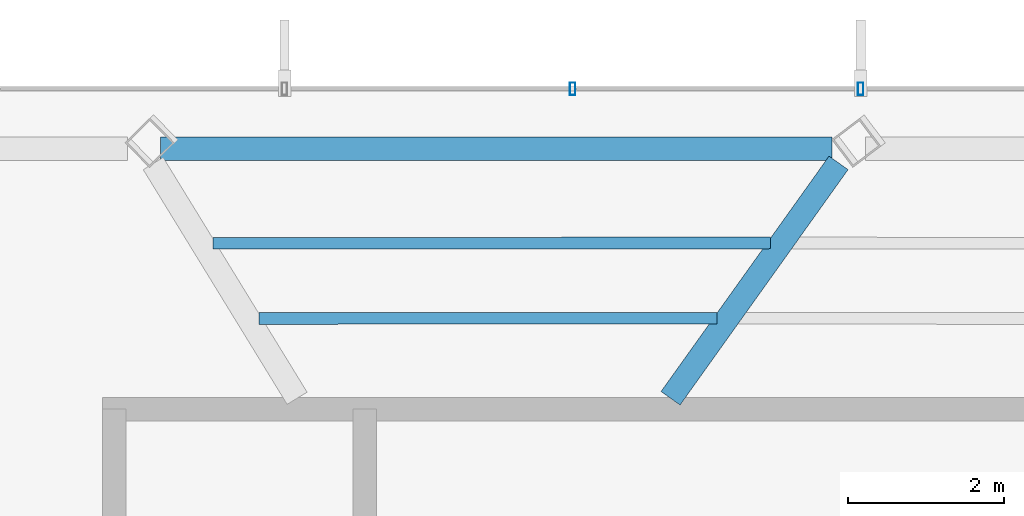
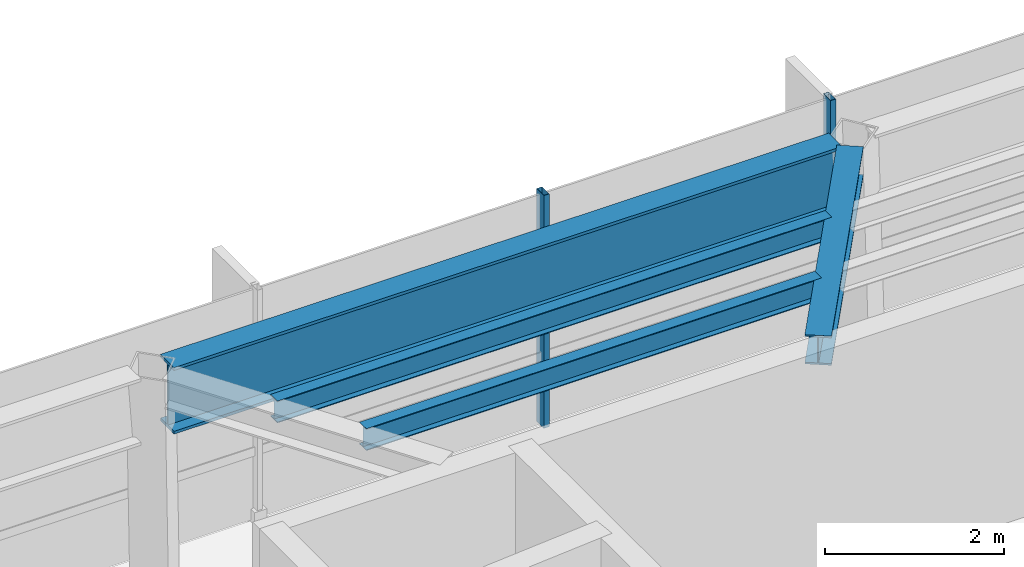
# One storey, part 12 of 22: 4 beams, 2 members, 1 element without a shape of its own.
"""IFC4 building model written with IfcOpenShell, lengths in metres."""

from ifc_helpers import new_model, si_unit, direction, frame, origin, origin_2d, place, context, subcontext, project, spatial, hollow_rectangle, i_section, extrude, material, layer, layer_set, material_profile, profile_set, type_object, element, aggregate, save


model = new_model("IFC4")

# Units and contexts
model_context = context("Model", 3, precision=1e-05, world=origin(), true_north=direction((0.0, 1.0)))
body_context = subcontext(model_context, "Body", "Model", "MODEL_VIEW")
ifc_project = project(units=[si_unit("LENGTHUNIT", "METRE"), si_unit("AREAUNIT", "SQUARE_METRE"), si_unit("VOLUMEUNIT", "CUBIC_METRE"), si_unit("PLANEANGLEUNIT", "RADIAN"), si_unit("MASSUNIT", "GRAM", prefix="KILO")], contexts=[model_context])

# Site, building, storey
site_placement = place(None, origin())
site = spatial("IfcSite", under=ifc_project, at=site_placement, CompositionType="ELEMENT")
building_placement = place(site_placement, origin())
building = spatial("IfcBuilding", under=site, at=building_placement, Name="Zarrinselat Tower", CompositionType="ELEMENT")
storey_placement = place(building_placement, frame((0.0, 0.0, 295.800048828125)))
storey = spatial("IfcBuildingStorey", under=building, at=storey_placement, Name="L76", CompositionType="ELEMENT", Elevation=295.800048828125)

# Beams
ifc_material_1 = material(Name="Steel S355J2", Category="steel")
ifc_material_profile_1 = material_profile(ifc_material_1, i_section(OverallWidth=0.300048828125, OverallDepth=0.39990234375, WebThickness=0.013427734375, FlangeThickness=0.02392578125, at=origin_2d()), Name="HEB 400")
ifc_profile_set_1 = profile_set([ifc_material_profile_1], Name="Steel S355J2")
beam_type_1 = type_object("IfcBeamType", Name="BM-HEB400", PredefinedType="BEAM", material=ifc_profile_set_1)
beam_1_placement = place(storey_placement, frame((35.800048828125, 43.5400390625, 2.97998046875), z_axis=(0.580989626288, 0.81391096205, 0.0), x_axis=(-0.81391096205, 0.580989626288, 0.0)))
element("IfcBeam", 1, at=beam_1_placement, inside=storey, type_object=beam_type_1, Name="L76 Radial Primary Girder RG03", PredefinedType="BEAM", context=body_context, shape_type="SweptSolid", body=[
    extrude(i_section(OverallWidth=0.300048828125, OverallDepth=0.39990234375, WebThickness=0.013427734375, FlangeThickness=0.02392578125, at=origin_2d()), origin(), (0.0, 0.0, 1.0), 3.716796875),
])
ifc_material_2 = material(Name="Steel S460M", Category="steel")
ifc_material_profile_2 = material_profile(ifc_material_2, i_section(OverallWidth=0.302001953125, OverallDepth=0.909912109375, WebThickness=0.02099609375, FlangeThickness=0.0400390625, at=origin_2d()), Name="HEM 900")
ifc_profile_set_2 = profile_set([ifc_material_profile_2], Name="Steel S460M")
beam_type_2 = type_object("IfcBeamType", Name="BM-HEM900", PredefinedType="BEAM", material=ifc_profile_set_2)
beam_2_placement = place(storey_placement, frame((29.2451171875, 46.75, 2.724853515625), z_axis=(1.0, 0.0, 0.0), x_axis=(0.0, 1.0, 0.0)))
element("IfcBeam", 2, at=beam_2_placement, inside=storey, type_object=beam_type_2, Name="L76 Perimeter Spandrel Girder SP03", PredefinedType="BEAM", context=body_context, shape_type="SweptSolid", body=[
    extrude(i_section(OverallWidth=0.302001953125, OverallDepth=0.909912109375, WebThickness=0.02099609375, FlangeThickness=0.0400390625, at=origin_2d()), origin(), (0.0, 0.0, 1.0), 8.63330078125),
])
ifc_material_3 = material(Name="Steel S355J2", Category="steel")
ifc_material_profile_3 = material_profile(ifc_material_3, i_section(OverallWidth=0.14990234375, OverallDepth=0.300048828125, WebThickness=0.007080078125, FlangeThickness=0.0107421875, at=origin_2d()), Name="IPE 300")
ifc_profile_set_3 = profile_set([ifc_material_profile_3], Name="Steel S355J2")
beam_type_3 = type_object("IfcBeamType", Name="BM-IPE300", PredefinedType="JOIST", material=ifc_profile_set_3)
beam_3_placement = place(storey_placement, frame((29.91943359375, 45.531005859375, 3.030029296875), z_axis=(0.999999692971, 0.000783618716, 0.0), x_axis=(-0.000783618716, 0.999999692971, 0.0)))
element("IfcBeam", 3, at=beam_3_placement, inside=storey, type_object=beam_type_3, Name="L76 Composite Floor Joist 8-1", PredefinedType="JOIST", context=body_context, shape_type="SweptSolid", body=[
    extrude(i_section(OverallWidth=0.14990234375, OverallDepth=0.300048828125, WebThickness=0.007080078125, FlangeThickness=0.0107421875, at=origin_2d()), origin(), (0.0, 0.0, 1.0), 7.165771484375),
])
beam_4_placement = place(storey_placement, frame((30.51123046875, 44.565673828125, 3.030029296875), z_axis=(0.999999876004, 0.00049798724, 0.0), x_axis=(-0.00049798724, 0.999999876004, 0.0)))
element("IfcBeam", 4, at=beam_4_placement, inside=storey, type_object=beam_type_3, Name="L76 Composite Floor Joist 8-2", PredefinedType="JOIST", context=body_context, shape_type="SweptSolid", body=[
    extrude(i_section(OverallWidth=0.14990234375, OverallDepth=0.300048828125, WebThickness=0.007080078125, FlangeThickness=0.0107421875, at=origin_2d()), origin(), (0.0, 0.0, 1.0), 5.883056640625),
])

# Curtain wall, members
ifc_material_4 = material(Name="Extruded Aluminium Alloy EN AW-6063 T6", Category="aluminium")
ifc_layer = layer(ifc_material_4, 0.169921875)
ifc_layer_set = layer_set([ifc_layer], Name="Extruded Aluminium Alloy EN AW-6063 T6")
curtain_wall_type = type_object("IfcCurtainWallType", Name="CWS-RES", PredefinedType="NOTDEFINED", material=ifc_layer_set)
curtain_wall_placement = place(storey_placement, origin())
curtain_wall = element("IfcCurtainWall", 5, at=curtain_wall_placement, inside=storey, type_object=curtain_wall_type, Name="L76 Unitised Curtain Wall CW-L76-E01", PredefinedType="NOTDEFINED")
ifc_material_5 = material(Name="Extruded Aluminium Alloy EN AW-6063 T6", Category="aluminium")
ifc_material_profile_4 = material_profile(ifc_material_5, hollow_rectangle(XDim=0.070068359375, YDim=0.159912109375, WallThickness=0.00390625, at=origin_2d()), Name="RHS 160x70x4")
ifc_profile_set_4 = profile_set([ifc_material_profile_4], Name="Extruded Aluminium Alloy EN AW-6063 T6")
member_type = type_object("IfcMemberType", Name="MEM-CW-MUL2", PredefinedType="MULLION", material=ifc_profile_set_4)
member_1_placement = place(storey_placement, frame((38.244140625, 47.5166015625, 0.0), z_axis=(0.0, 0.0, 1.0), x_axis=(-1.0, 0.0, 0.0)))
member_1 = element("IfcMember", 6, at=member_1_placement, type_object=member_type, Name="CW-L76-E01 Mullion 5", PredefinedType="MULLION", context=body_context, shape_type="SweptSolid", body=[
    extrude(hollow_rectangle(XDim=0.070068359375, YDim=0.159912109375, WallThickness=0.00390625, at=origin_2d()), origin(), (0.0, 0.0, 1.0), 3.179931640625),
])
member_2_placement = place(storey_placement, frame((34.54150390625, 47.5166015625, 0.0), z_axis=(0.0, 0.0, 1.0), x_axis=(-1.0, 0.0, 0.0)))
member_2 = element("IfcMember", 7, at=member_2_placement, type_object=member_type, Name="CW-L76-E01 Mullion 6", PredefinedType="MULLION", context=body_context, shape_type="SweptSolid", body=[
    extrude(hollow_rectangle(XDim=0.070068359375, YDim=0.159912109375, WallThickness=0.00390625, at=origin_2d()), origin(), (0.0, 0.0, 1.0), 3.179931640625),
])
aggregate(curtain_wall, [member_1, member_2])

save(model, "model.ifc")
